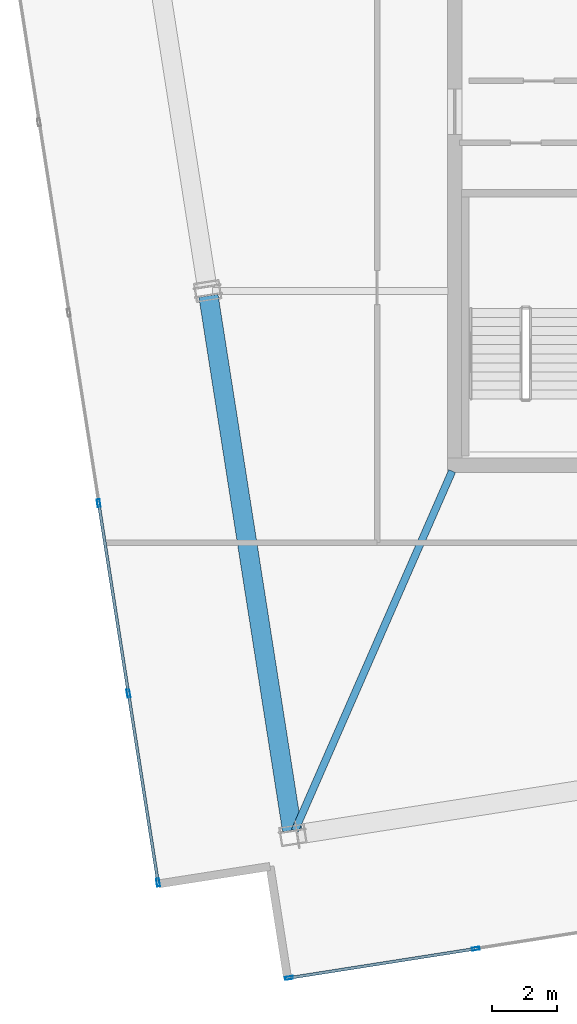
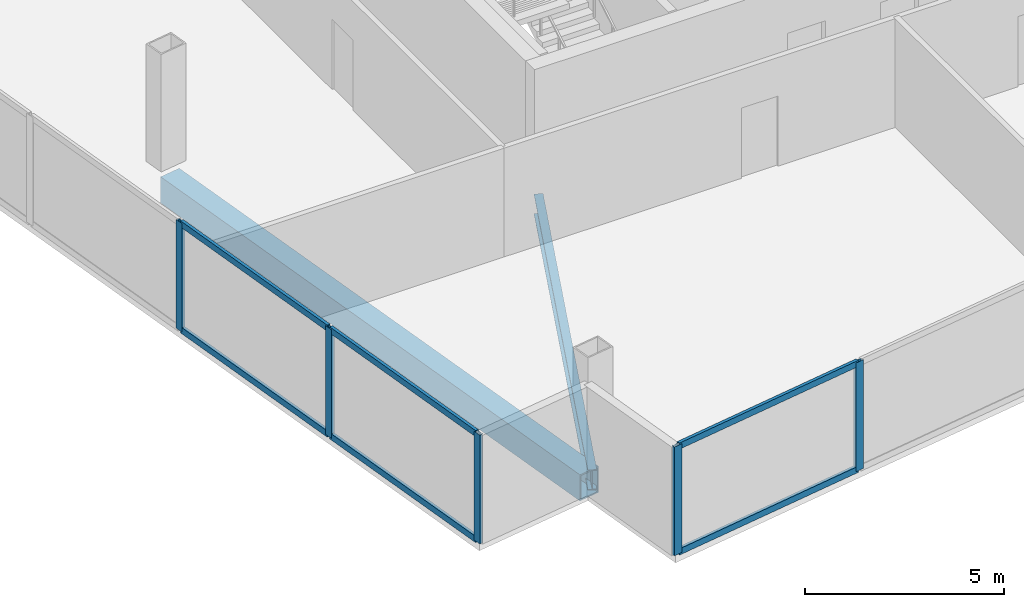
# One storey, part 2 of 17: 11 members, 2 beams, 2 elements without a shape of their own.
"""IFC4 building model written with IfcOpenShell, lengths in metres."""

from ifc_helpers import new_model, si_unit, direction, frame, origin, origin_2d, place, context, subcontext, project, spatial, hollow_rectangle, i_section, extrude, material, material_profile, profile_set, type_object, element, aggregate, save


model = new_model("IFC4")

# Units and contexts
model_context = context("Model", 3, precision=1e-05, world=origin(), true_north=direction((0.0, 1.0)))
body_context = subcontext(model_context, "Body", "Model", "MODEL_VIEW")
ifc_project = project(units=[si_unit("LENGTHUNIT", "METRE"), si_unit("AREAUNIT", "SQUARE_METRE"), si_unit("VOLUMEUNIT", "CUBIC_METRE"), si_unit("PLANEANGLEUNIT", "RADIAN"), si_unit("MASSUNIT", "GRAM", prefix="KILO")], contexts=[model_context])

# Site, building, storey
site_placement = place(None, origin())
site = spatial("IfcSite", under=ifc_project, at=site_placement, CompositionType="ELEMENT")
building_placement = place(site_placement, origin())
building = spatial("IfcBuilding", under=site, at=building_placement, Name="Haldenkirk Collegiate Tower", CompositionType="ELEMENT")
storey_placement = place(building_placement, frame((0.0, 0.0, 364.199951171875)))
storey = spatial("IfcBuildingStorey", under=building, at=storey_placement, Name="L92", CompositionType="ELEMENT", Elevation=364.199951171875)

# Beams
ifc_material_1 = material(Name="Steel ASTM A992 Grade 50", Category="steel")
ifc_material_profile_1 = material_profile(ifc_material_1, i_section(OverallWidth=0.22998046875, OverallDepth=0.616943359375, WebThickness=0.01318359375, FlangeThickness=0.022216796875, at=origin_2d()), Name="W24X94")
ifc_profile_set_1 = profile_set([ifc_material_profile_1], Name="Steel ASTM A992 Grade 50")
beam_type_1 = type_object("IfcBeamType", Name="BM-GIRDER-W24X94", PredefinedType="BEAM", material=ifc_profile_set_1)
beam_1_placement = place(storey_placement, frame((22.05078125, 6.685791015625, -0.578369140625), z_axis=(0.400769288395, 0.916179009517, 0.0), x_axis=(-0.916179009517, 0.400769288395, 0.0)))
element("IfcBeam", 1, at=beam_1_placement, inside=storey, type_object=beam_type_1, Name="L92 crown radial floor beam 7", PredefinedType="BEAM", context=body_context, shape_type="SweptSolid", body=[
    extrude(i_section(OverallWidth=0.22998046875, OverallDepth=0.616943359375, WebThickness=0.01318359375, FlangeThickness=0.022216796875, at=origin_2d()), origin(), (0.0, 0.0, 1.0), 12.1494140625),
])
ifc_material_2 = material(Name="Steel ASTM A572 Grade 50", Category="steel")
ifc_material_profile_2 = material_profile(ifc_material_2, hollow_rectangle(XDim=0.60009765625, YDim=0.800048828125, WallThickness=0.0400390625, at=origin_2d()), Name="BOX800X600X40")
ifc_profile_set_2 = profile_set([ifc_material_profile_2], Name="Steel ASTM A572 Grade 50")
beam_type_2 = type_object("IfcBeamType", Name="BM-SPANDREL-BOX800X600X40", PredefinedType="SPANDREL", material=ifc_profile_set_2)
beam_2_placement = place(storey_placement, frame((19.376220703125, 23.244873046875, -0.669921875), z_axis=(0.154705009471, -0.987960707743, 0.0), x_axis=(0.987960707743, 0.154705009471, 0.0)))
element("IfcBeam", 2, at=beam_2_placement, inside=storey, type_object=beam_type_2, Name="L92 Crown Ring Frame perimeter girder 6", PredefinedType="SPANDREL", context=body_context, shape_type="SweptSolid", body=[
    extrude(hollow_rectangle(XDim=0.60009765625, YDim=0.800048828125, WallThickness=0.0400390625, at=origin_2d()), origin(), (0.0, 0.0, 1.0), 16.75),
])

# Curtain wall, members
ifc_material_3 = material(Name="Anodised architectural bronze aluminium", Category="aluminium")
curtain_wall_type = type_object("IfcCurtainWallType", Name="CW-SYS6-CROWN", PredefinedType="USERDEFINED", material=ifc_material_3)
curtain_wall_1_placement = place(storey_placement, origin())
curtain_wall_1 = element("IfcCurtainWall", 3, at=curtain_wall_1_placement, inside=storey, type_object=curtain_wall_type, Name="L92 Closed crown ring ceramic-fritted bronze screen curtain wall", ObjectType="UNITISED CURTAIN WALL", PredefinedType="USERDEFINED")
ifc_material_profile_3 = material_profile(ifc_material_3, hollow_rectangle(XDim=0.090087890625, YDim=0.239990234375, WallThickness=0.0048828125, at=origin_2d()), Name="CW-MUL-06")
ifc_profile_set_3 = profile_set([ifc_material_profile_3], Name="Anodised architectural bronze aluminium")
member_type_1 = type_object("IfcMemberType", Name="CW-MUL-06", PredefinedType="MULLION", material=ifc_profile_set_3)
member_1_placement = place(storey_placement, frame((17.817626953125, 5.080078125, 0.0), z_axis=(0.0, 0.0, 1.0), x_axis=(-0.987959532462, -0.154712514742, 0.0)))
member_1 = element("IfcMember", 4, at=member_1_placement, type_object=member_type_1, Name="CW-06 mullion 1", PredefinedType="MULLION", context=body_context, shape_type="SweptSolid", body=[
    extrude(hollow_rectangle(XDim=0.090087890625, YDim=0.239990234375, WallThickness=0.0048828125, at=origin_2d()), origin(), (0.0, 0.0, 1.0), 3.330078125),
])
member_2_placement = place(storey_placement, frame((16.9013671875, 10.930419921875, 0.0), z_axis=(0.0, 0.0, 1.0), x_axis=(-0.987959532462, -0.154712514742, 0.0)))
member_2 = element("IfcMember", 5, at=member_2_placement, type_object=member_type_1, Name="CW-06 mullion 2", PredefinedType="MULLION", context=body_context, shape_type="SweptSolid", body=[
    extrude(hollow_rectangle(XDim=0.090087890625, YDim=0.239990234375, WallThickness=0.0048828125, at=origin_2d()), origin(), (0.0, 0.0, 1.0), 3.330078125),
])
member_3_placement = place(storey_placement, frame((15.978271484375, 16.825439453125, 0.0), z_axis=(0.0, 0.0, 1.0), x_axis=(-0.987959532462, -0.154712514742, 0.0)))
member_3 = element("IfcMember", 6, at=member_3_placement, type_object=member_type_1, Name="CW-06 mullion 3", PredefinedType="MULLION", context=body_context, shape_type="SweptSolid", body=[
    extrude(hollow_rectangle(XDim=0.090087890625, YDim=0.239990234375, WallThickness=0.0048828125, at=origin_2d()), origin(), (0.0, 0.0, 1.0), 3.330078125),
])

curtain_wall_2_placement = place(storey_placement, origin())
curtain_wall_2 = element("IfcCurtainWall", 7, at=curtain_wall_2_placement, inside=storey, type_object=curtain_wall_type, Name="L92 Closed crown ring ceramic-fritted bronze screen curtain wall", ObjectType="UNITISED CURTAIN WALL", PredefinedType="USERDEFINED")
member_4_placement = place(storey_placement, frame((27.65283203125, 3.031982421875, 0.0), z_axis=(0.0, 0.0, 1.0), x_axis=(0.154708982189, -0.987960085646, 0.0)))
member_4 = element("IfcMember", 8, at=member_4_placement, type_object=member_type_1, Name="CW-06 mullion 6", PredefinedType="MULLION", context=body_context, shape_type="SweptSolid", body=[
    extrude(hollow_rectangle(XDim=0.090087890625, YDim=0.239990234375, WallThickness=0.0048828125, at=origin_2d()), origin(), (0.0, 0.0, 1.0), 3.330078125),
])
member_5_placement = place(storey_placement, frame((21.868408203125, 2.126220703125, 0.0), z_axis=(0.0, 0.0, 1.0), x_axis=(0.154708982189, -0.987960085646, 0.0)))
member_5 = element("IfcMember", 9, at=member_5_placement, type_object=member_type_1, Name="CW-06 mullion 7", PredefinedType="MULLION", context=body_context, shape_type="SweptSolid", body=[
    extrude(hollow_rectangle(XDim=0.090087890625, YDim=0.239990234375, WallThickness=0.0048828125, at=origin_2d()), origin(), (0.0, 0.0, 1.0), 3.330078125),
])

# Member
ifc_material_profile_4 = material_profile(ifc_material_3, hollow_rectangle(XDim=0.090087890625, YDim=0.18994140625, WallThickness=0.0048828125, at=origin_2d()), Name="CW-TRN-06")
ifc_profile_set_4 = profile_set([ifc_material_profile_4], Name="Anodised architectural bronze aluminium")
member_type_2 = type_object("IfcMemberType", Name="CW-TRN-06", PredefinedType="USERDEFINED", material=ifc_profile_set_4)
member_6_placement = place(storey_placement, frame((17.810791015625, 5.12451171875, 0.045166015625), z_axis=(-0.154730622105, 0.987956696714, 0.0), x_axis=(-0.987956696714, -0.154730622105, 0.0)))
member_6 = element("IfcMember", 10, at=member_6_placement, type_object=member_type_2, Name="CW-06 transom 1.1", ObjectType="TRANSOM", PredefinedType="USERDEFINED", context=body_context, shape_type="SweptSolid", body=[
    extrude(hollow_rectangle(XDim=0.090087890625, YDim=0.18994140625, WallThickness=0.0048828125, at=origin_2d()), origin(), (0.0, 0.0, 1.0), 5.831787109375),
])

member_7_placement = place(storey_placement, frame((17.810791015625, 5.12451171875, 3.28515625), z_axis=(-0.154730622105, 0.987956696714, 0.0), x_axis=(-0.987956696714, -0.154730622105, 0.0)))
member_7 = element("IfcMember", 11, at=member_7_placement, type_object=member_type_2, Name="CW-06 transom 1.2", ObjectType="TRANSOM", PredefinedType="USERDEFINED", context=body_context, shape_type="SweptSolid", body=[
    extrude(hollow_rectangle(XDim=0.090087890625, YDim=0.18994140625, WallThickness=0.0048828125, at=origin_2d()), origin(), (0.0, 0.0, 1.0), 5.831787109375),
])

member_8_placement = place(storey_placement, frame((16.89453125, 10.974853515625, 0.045166015625), z_axis=(-0.154710174658, 0.987959898912, 0.0), x_axis=(-0.987959898912, -0.154710174658, 0.0)))
member_8 = element("IfcMember", 12, at=member_8_placement, type_object=member_type_2, Name="CW-06 transom 2.1", ObjectType="TRANSOM", PredefinedType="USERDEFINED", context=body_context, shape_type="SweptSolid", body=[
    extrude(hollow_rectangle(XDim=0.090087890625, YDim=0.18994140625, WallThickness=0.0048828125, at=origin_2d()), origin(), (0.0, 0.0, 1.0), 5.876708984375),
])

member_9_placement = place(storey_placement, frame((16.89453125, 10.974853515625, 3.28515625), z_axis=(-0.154710174658, 0.987959898912, 0.0), x_axis=(-0.987959898912, -0.154710174658, 0.0)))
member_9 = element("IfcMember", 13, at=member_9_placement, type_object=member_type_2, Name="CW-06 transom 2.2", ObjectType="TRANSOM", PredefinedType="USERDEFINED", context=body_context, shape_type="SweptSolid", body=[
    extrude(hollow_rectangle(XDim=0.090087890625, YDim=0.18994140625, WallThickness=0.0048828125, at=origin_2d()), origin(), (0.0, 0.0, 1.0), 5.876708984375),
])

aggregate(curtain_wall_1, [member_1, member_2, member_3, member_6, member_7, member_8, member_9])

member_10_placement = place(storey_placement, frame((27.6083984375, 3.025146484375, 0.045166015625), z_axis=(-0.987961315074, -0.154701130951, 0.0), x_axis=(0.154701130951, -0.987961315074, 0.0)))
member_10 = element("IfcMember", 14, at=member_10_placement, type_object=member_type_2, Name="CW-06 transom 6.1", ObjectType="TRANSOM", PredefinedType="USERDEFINED", context=body_context, shape_type="SweptSolid", body=[
    extrude(hollow_rectangle(XDim=0.090087890625, YDim=0.18994140625, WallThickness=0.0048828125, at=origin_2d()), origin(), (0.0, 0.0, 1.0), 5.764892578125),
])

member_11_placement = place(storey_placement, frame((27.6083984375, 3.025146484375, 3.28515625), z_axis=(-0.987961315074, -0.154701130951, 0.0), x_axis=(0.154701130951, -0.987961315074, 0.0)))
member_11 = element("IfcMember", 15, at=member_11_placement, type_object=member_type_2, Name="CW-06 transom 6.2", ObjectType="TRANSOM", PredefinedType="USERDEFINED", context=body_context, shape_type="SweptSolid", body=[
    extrude(hollow_rectangle(XDim=0.090087890625, YDim=0.18994140625, WallThickness=0.0048828125, at=origin_2d()), origin(), (0.0, 0.0, 1.0), 5.764892578125),
])

aggregate(curtain_wall_2, [member_4, member_5, member_10, member_11])

save(model, "model.ifc")
